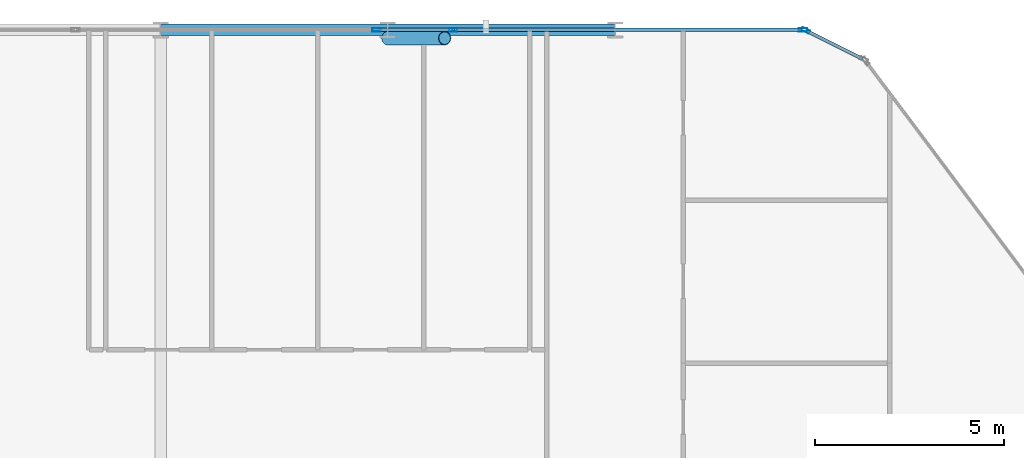
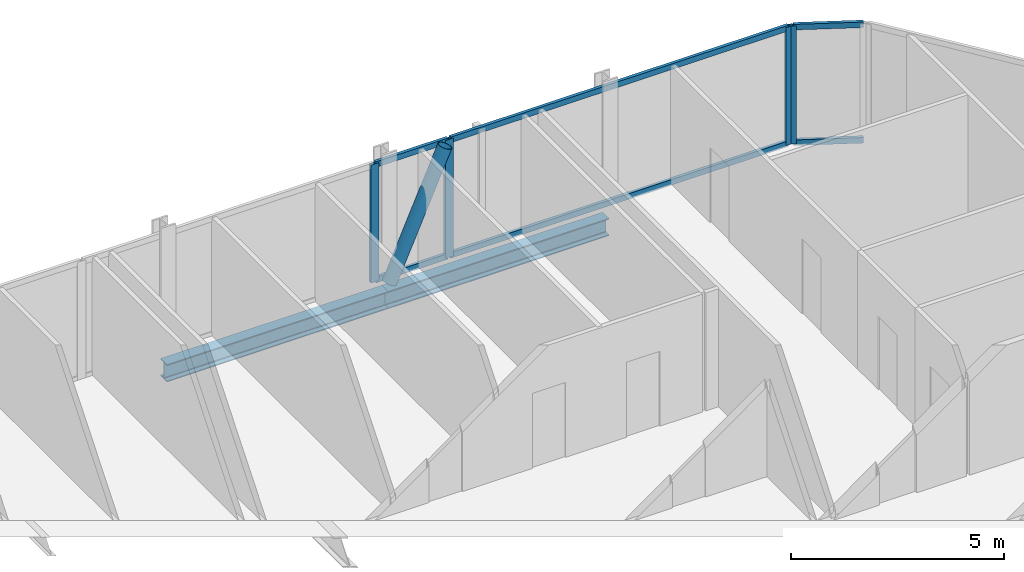
# One storey, part 16 of 34: 11 members, 2 beams, 4 elements without a shape of their own.
"""IFC4 building model written with IfcOpenShell, lengths in metres."""

import ifcopenshell
import ifcopenshell.guid

model = None  # the IFC model being written
_history = None  # IfcOwnerHistory: only IFC2X3 demands one
_inside = {}  # id of a spatial element -> (the spatial element, [elements in it])
_under = {}  # id of a project, library or spatial element -> (it, [spatial elements below it])
_declared = {}  # id of a project -> (the project, [libraries it declares])
_typed = {}  # id of a type object -> (the type object, [elements of that type])
_made_of = {}  # id of a material, layer set ... -> (it, [elements and type objects made of it])


def new_model(schema):
    """Start an empty IFC model of exactly this schema.

    Asked for "IFC4X3", IfcOpenShell would pick the latest addendum, in which some entities
    have other attributes; the version numbers below select the first issue.
    IFC2X3 requires an IfcOwnerHistory on every rooted entity: one is made here for all.
    """
    global model, _history
    if schema == "IFC4X3":
        model = ifcopenshell.file(schema_version=(4, 3, 0, 0))
    else:
        model = ifcopenshell.file(schema=schema)
    _inside.clear()
    _under.clear()
    _declared.clear()
    _typed.clear()
    _made_of.clear()
    _history = None
    if model.schema == "IFC2X3":
        org = make("IfcOrganization", Name="unknown")
        user = make(
            "IfcPersonAndOrganization",
            ThePerson=make("IfcPerson", FamilyName="unknown"),
            TheOrganization=org,
        )
        app = make(
            "IfcApplication",
            ApplicationDeveloper=org,
            Version="unknown",
            ApplicationFullName="unknown",
            ApplicationIdentifier="unknown",
        )
        _history = make(
            "IfcOwnerHistory",
            OwningUser=user,
            OwningApplication=app,
            ChangeAction="ADDED",
            CreationDate=0,
        )
    return model


def make(cls, **values):
    """One entity of the class cls with the attributes given. An attribute that is None is left unset."""
    return model.create_entity(
        cls, **{name: value for name, value in values.items() if value is not None}
    )


def rooted(cls, **values):
    """An entity with a GlobalId (a new one), such as an element, a storey or a relation."""
    return make(cls, GlobalId=ifcopenshell.guid.new(), OwnerHistory=_history, **values)


def si_unit(unit_type, name, prefix=None):
    """IfcSIUnit, for example si_unit("LENGTHUNIT", "METRE", prefix="MILLI")."""
    return make("IfcSIUnit", UnitType=unit_type, Prefix=prefix, Name=name)


def assignment(units):
    """IfcUnitAssignment: the units of a project."""
    return None if units is None else make("IfcUnitAssignment", Units=units)


def point(xyz):
    """IfcCartesianPoint."""
    return None if xyz is None else make("IfcCartesianPoint", Coordinates=xyz)


def direction(xyz):
    """IfcDirection."""
    return None if xyz is None else make("IfcDirection", DirectionRatios=xyz)


def frame(location, z_axis=None, x_axis=None):
    """IfcAxis2Placement3D, a coordinate frame: its origin and axes. An axis left out is left unset."""
    return make(
        "IfcAxis2Placement3D",
        Location=point(location),
        Axis=direction(z_axis),
        RefDirection=direction(x_axis),
    )


def frame_2d(location, x_axis=None):
    """IfcAxis2Placement2D, a coordinate frame in the plane: its origin and x axis."""
    return make(
        "IfcAxis2Placement2D", Location=point(location), RefDirection=direction(x_axis)
    )


def origin():
    """The frame at (0, 0, 0) with its axes left unset."""
    return frame((0.0, 0.0, 0.0))


def origin_2d():
    """The frame at (0, 0) in the plane with its x axis left unset."""
    return frame_2d((0.0, 0.0))


def place(relative_to, where):
    """IfcLocalPlacement: puts the frame where relative to a parent placement (None: the world)."""
    return make(
        "IfcLocalPlacement", PlacementRelTo=relative_to, RelativePlacement=where
    )


def context(
    kind, dimensions, precision=None, world=None, true_north=None, identifier=None
):
    """IfcGeometricRepresentationContext, for example the 3D "Model" context."""
    return make(
        "IfcGeometricRepresentationContext",
        ContextIdentifier=identifier,
        ContextType=kind,
        CoordinateSpaceDimension=dimensions,
        Precision=precision,
        WorldCoordinateSystem=world,
        TrueNorth=true_north,
    )


def subcontext(parent, identifier, kind, view, scale=None):
    """IfcGeometricRepresentationSubContext, for example "Body" below "Model"."""
    return make(
        "IfcGeometricRepresentationSubContext",
        ContextIdentifier=identifier,
        ContextType=kind,
        ParentContext=parent,
        TargetScale=scale,
        TargetView=view,
    )


def project(units=None, contexts=None):
    """IfcProject with its units and contexts."""
    return rooted(
        "IfcProject",
        Name="project",
        RepresentationContexts=contexts,
        UnitsInContext=assignment(units),
    )


def spatial(cls, under=None, at=None, **own):
    """A site, building, storey or space (cls), placed at a placement, below another one or the project."""
    s = rooted(cls, ObjectPlacement=at, **own)
    if under is not None:
        _under.setdefault(under.id(), (under, []))[1].append(s)
    return s


def profile(cls, at=None, kind="AREA", **sizes):
    """A parametric profile (cls). Its sizes go by their IFC names, for example OverallWidth=200.0."""
    return make(cls, ProfileType=kind, Position=at, **sizes)


def hollow_rectangle(**sizes):
    """IfcRectangleHollowProfileDef."""
    return profile("IfcRectangleHollowProfileDef", **sizes)


def hollow_circle(**sizes):
    """IfcCircleHollowProfileDef."""
    return profile("IfcCircleHollowProfileDef", **sizes)


def i_section(**sizes):
    """IfcIShapeProfileDef."""
    return profile("IfcIShapeProfileDef", **sizes)


def extrude(swept, where, along, depth):
    """IfcExtrudedAreaSolid: the profile swept, set in the frame where, extruded along a direction by depth."""
    return make(
        "IfcExtrudedAreaSolid",
        SweptArea=swept,
        Position=where,
        ExtrudedDirection=direction(along),
        Depth=depth,
    )


def shape(context_of_items, identifier, shape_type, items):
    """IfcShapeRepresentation: the items that make up one representation, for example the "Body"."""
    return make(
        "IfcShapeRepresentation",
        ContextOfItems=context_of_items,
        RepresentationIdentifier=identifier,
        RepresentationType=shape_type,
        Items=items,
    )


def material(Name=None, Category=None):
    """IfcMaterial."""
    return make("IfcMaterial", Name=Name, Category=Category)


def layer(
    of_material, thickness, ventilated=None, Name=None, Category=None, Priority=None
):
    """IfcMaterialLayer: one layer of a wall or slab, of a material (None: an air gap)."""
    return make(
        "IfcMaterialLayer",
        Material=of_material,
        LayerThickness=thickness,
        IsVentilated=ventilated,
        Name=Name,
        Category=Category,
        Priority=Priority,
    )


def layer_set(layers, Name=None):
    """IfcMaterialLayerSet."""
    return make("IfcMaterialLayerSet", MaterialLayers=layers, LayerSetName=Name)


def material_profile(
    of_material, cross_section, Name=None, Category=None, Priority=None
):
    """IfcMaterialProfile: a cross section and its material."""
    return make(
        "IfcMaterialProfile",
        Name=Name,
        Material=of_material,
        Profile=cross_section,
        Priority=Priority,
        Category=Category,
    )


def profile_set(profiles, Name=None, composite=None):
    """IfcMaterialProfileSet."""
    return make(
        "IfcMaterialProfileSet",
        Name=Name,
        MaterialProfiles=profiles,
        CompositeProfile=composite,
    )


def made_of(thing, what):
    """Note that an element or type object is made of a material, layer set ...; save() writes the relation."""
    if what is not None:
        _made_of.setdefault(what.id(), (what, []))[1].append(thing)
    return thing


def type_object(cls, material=None, **own):
    """A type object (cls), such as IfcWallType, which elements share."""
    return made_of(rooted(cls, **own), material)


def element(
    cls,
    number,
    at=None,
    inside=None,
    cuts=None,
    type_object=None,
    material=None,
    context=None,
    identifier="Body",
    shape_type=None,
    held_by="IfcProductDefinitionShape",
    body=None,
    shapes=None,
    **own,
):
    """One element of the class cls, such as IfcWall. Its Tag is "e" and its number.

    at: its placement. inside: the storey or other place that contains it. cuts: it is an
    opening in that element (IfcRelVoidsElement). A single representation is given by context,
    identifier, shape_type and body (its items); several are given by shapes. held_by: the class
    of the entity that holds the representations. save() writes the other relations.
    """
    e = rooted(cls, Tag="e%d" % number, ObjectPlacement=at, **own)
    if body is not None:
        shapes = [shape(context, identifier, shape_type, body)]
    if shapes is not None:
        e.Representation = make(held_by, Representations=shapes)
    if inside is not None:
        _inside.setdefault(inside.id(), (inside, []))[1].append(e)
    if cuts is not None:
        rooted(
            "IfcRelVoidsElement", RelatingBuildingElement=cuts, RelatedOpeningElement=e
        )
    if type_object is not None:
        _typed.setdefault(type_object.id(), (type_object, []))[1].append(e)
    return made_of(e, material)


def aggregate(whole, parts):
    """IfcRelAggregates: a whole, such as a stair, and the parts it consists of."""
    return rooted("IfcRelAggregates", RelatingObject=whole, RelatedObjects=parts)


def save(model, path):
    """Write the relations noted so far, then the file.

    IfcRelAggregates (storeys below a building ...), IfcRelContainedInSpatialStructure (elements
    in a storey), IfcRelDefinesByType, IfcRelAssociatesMaterial and IfcRelDeclares: one each for
    every whole, place, type object, material and project.
    """
    for whole, parts in _under.values():
        aggregate(whole, parts)
    for where, things in _inside.values():
        rooted(
            "IfcRelContainedInSpatialStructure",
            RelatedElements=things,
            RelatingStructure=where,
        )
    for kind, things in _typed.values():
        rooted("IfcRelDefinesByType", RelatedObjects=things, RelatingType=kind)
    for what, things in _made_of.values():
        rooted("IfcRelAssociatesMaterial", RelatedObjects=things, RelatingMaterial=what)
    for by, libraries in _declared.values():
        rooted("IfcRelDeclares", RelatingContext=by, RelatedDefinitions=libraries)
    model.write(path)


model = new_model("IFC4")

# Units and contexts
model_context = context("Model", 3, precision=1e-05, world=origin(), true_north=direction((0.0, 1.0)))
body_context = subcontext(model_context, "Body", "Model", "MODEL_VIEW")
ifc_project = project(units=[si_unit("LENGTHUNIT", "METRE"), si_unit("AREAUNIT", "SQUARE_METRE"), si_unit("VOLUMEUNIT", "CUBIC_METRE"), si_unit("PLANEANGLEUNIT", "RADIAN"), si_unit("MASSUNIT", "GRAM", prefix="KILO")], contexts=[model_context])

# Site, building, storey
site_placement = place(None, origin())
site = spatial("IfcSite", under=ifc_project, at=site_placement, CompositionType="ELEMENT")
building_placement = place(site_placement, origin())
building = spatial("IfcBuilding", under=site, at=building_placement, Name="Keshet Zoharim Tower", CompositionType="ELEMENT")
storey_placement = place(building_placement, frame((0.0, 0.0, 46.199951171875)))
storey = spatial("IfcBuildingStorey", under=building, at=storey_placement, Name="L10", CompositionType="ELEMENT", Elevation=46.199951171875)

# Beams
ifc_material_1 = material(Name="Steel S355", Category="steel")
ifc_material_profile_1 = material_profile(ifc_material_1, i_section(OverallWidth=0.300048828125, OverallDepth=0.5, WebThickness=0.014404296875, FlangeThickness=0.028076171875, FilletRadius=0.027099609375, at=origin_2d()), Name="HEB500")
ifc_profile_set_1 = profile_set([ifc_material_profile_1], Name="Steel S355")
beam_type = type_object("IfcBeamType", Name="BM-WEB-HB500", PredefinedType="BEAM", material=ifc_profile_set_1)
for number, where, z_axis, x_axis, name in (
    (1, (33.0, 53.89990234375, -0.56494140625), (1.0, 0.0, 0.0), (0.0, 1.0, 0.0), "L10 Primary Girder X-031"),
    (2, (39.0, 53.89990234375, -0.56494140625), (1.0, 0.0, 0.0), (0.0, 1.0, 0.0), "L10 Primary Girder X-032"),
):
    element("IfcBeam", number, at=place(storey_placement, frame(where, z_axis=z_axis, x_axis=x_axis)), inside=storey, type_object=beam_type, Name=name, PredefinedType="BEAM", context=body_context, shape_type="SweptSolid", body=[
        extrude(i_section(OverallWidth=0.300048828125, OverallDepth=0.5, WebThickness=0.014404296875, FlangeThickness=0.028076171875, FilletRadius=0.027099609375, at=origin_2d()), origin(), (0.0, 0.0, 1.0), 6.0),
    ])

# Curtain wall, member
ifc_material_2 = material(Name="Aluminium 6063-T6", Category="aluminium")
ifc_layer = layer(ifc_material_2, 0.169921875)
ifc_layer_set = layer_set([ifc_layer], Name="Aluminium 6063-T6")
curtain_wall_type = type_object("IfcCurtainWallType", Name="CW-SYS-02", PredefinedType="NOTDEFINED", material=ifc_layer_set)
curtain_wall_1_placement = place(storey_placement, origin())
curtain_wall_1 = element("IfcCurtainWall", 3, at=curtain_wall_1_placement, inside=storey, type_object=curtain_wall_type, Name="L10 Unitised Curtain Wall 07 Part 3", PredefinedType="NOTDEFINED")
ifc_material_profile_2 = material_profile(ifc_material_2, hollow_rectangle(XDim=0.090087890625, YDim=0.219970703125, WallThickness=0.0048828125, at=origin_2d()), Name="MUL-90x220")
ifc_profile_set_2 = profile_set([ifc_material_profile_2], Name="Aluminium 6063-T6")
member_type_1 = type_object("IfcMemberType", Name="CWM-M22", PredefinedType="MULLION", material=ifc_profile_set_2)
member_1_placement = place(storey_placement, frame((38.702392578125, 53.89990234375, 0.0), z_axis=(0.0, 0.0, 1.0), x_axis=(0.0, 1.0, 0.0)))
member_1 = element("IfcMember", 4, at=member_1_placement, type_object=member_type_1, Name="CW-02 mullion 3", PredefinedType="MULLION", context=body_context, shape_type="SweptSolid", body=[
    extrude(hollow_rectangle(XDim=0.090087890625, YDim=0.219970703125, WallThickness=0.0048828125, at=origin_2d()), origin(), (0.0, 0.0, 1.0), 3.385009765625),
])
aggregate(curtain_wall_1, [member_1])

curtain_wall_2_placement = place(storey_placement, origin())
curtain_wall_2 = element("IfcCurtainWall", 5, at=curtain_wall_2_placement, inside=storey, type_object=curtain_wall_type, Name="L10 Unitised Curtain Wall 07 Part 4", PredefinedType="NOTDEFINED")
member_2_placement = place(storey_placement, frame((40.7275390625, 53.89990234375, 0.0), z_axis=(0.0, 0.0, 1.0), x_axis=(0.0, 1.0, 0.0)))
member_2 = element("IfcMember", 6, at=member_2_placement, type_object=member_type_1, Name="CW-02 mullion 2", PredefinedType="MULLION", context=body_context, shape_type="SweptSolid", body=[
    extrude(hollow_rectangle(XDim=0.090087890625, YDim=0.219970703125, WallThickness=0.0048828125, at=origin_2d()), origin(), (0.0, 0.0, 1.0), 3.385009765625),
])

curtain_wall_3_placement = place(storey_placement, origin())
curtain_wall_3 = element("IfcCurtainWall", 7, at=curtain_wall_3_placement, inside=storey, type_object=curtain_wall_type, Name="L10 Unitised Curtain Wall 07 Part 5", PredefinedType="NOTDEFINED")
member_3_placement = place(storey_placement, frame((49.965087890625, 53.89990234375, 0.0), z_axis=(0.0, 0.0, 1.0), x_axis=(0.0, 1.0, 0.0)))
member_3 = element("IfcMember", 8, at=member_3_placement, type_object=member_type_1, Name="CW-02 mullion 2", PredefinedType="MULLION", context=body_context, shape_type="SweptSolid", body=[
    extrude(hollow_rectangle(XDim=0.090087890625, YDim=0.219970703125, WallThickness=0.0048828125, at=origin_2d()), origin(), (0.0, 0.0, 1.0), 3.385009765625),
])

curtain_wall_4_placement = place(storey_placement, origin())
curtain_wall_4 = element("IfcCurtainWall", 9, at=curtain_wall_4_placement, inside=storey, type_object=curtain_wall_type, Name="L10 Unitised Curtain Wall 08", PredefinedType="NOTDEFINED")
member_4_placement = place(storey_placement, frame((50.03125, 53.88427734375, 0.0), z_axis=(0.0, 0.0, 1.0), x_axis=(0.447213595499, 0.894427191001, 0.0)))
member_4 = element("IfcMember", 10, at=member_4_placement, type_object=member_type_1, Name="CW-02 mullion 1", PredefinedType="MULLION", context=body_context, shape_type="SweptSolid", body=[
    extrude(hollow_rectangle(XDim=0.090087890625, YDim=0.219970703125, WallThickness=0.0048828125, at=origin_2d()), origin(), (0.0, 0.0, 1.0), 3.385009765625),
])

# Member
ifc_material_profile_3 = material_profile(ifc_material_2, hollow_rectangle(XDim=0.0849609375, YDim=0.159912109375, WallThickness=0.00439453125, at=origin_2d()), Name="TRN-85x160")
ifc_profile_set_3 = profile_set([ifc_material_profile_3], Name="Aluminium 6063-T6")
member_type_2 = type_object("IfcMemberType", Name="CWT-T16", PredefinedType="USERDEFINED", material=ifc_profile_set_3)
member_5_placement = place(storey_placement, frame((38.7373046875, 53.89990234375, 0.03515625), z_axis=(1.0, 0.0, 0.0), x_axis=(0.0, 1.0, 0.0)))
member_5 = element("IfcMember", 11, at=member_5_placement, type_object=member_type_2, Name="CW-02 transom 1.1", ObjectType="TRANSOM", PredefinedType="USERDEFINED", context=body_context, shape_type="SweptSolid", body=[
    extrude(hollow_rectangle(XDim=0.0849609375, YDim=0.159912109375, WallThickness=0.00439453125, at=origin_2d()), origin(), (0.0, 0.0, 1.0), 1.955322265625),
])

member_6_placement = place(storey_placement, frame((38.7373046875, 53.89990234375, 3.35009765625), z_axis=(1.0, 0.0, 0.0), x_axis=(0.0, 1.0, 0.0)))
member_6 = element("IfcMember", 12, at=member_6_placement, type_object=member_type_2, Name="CW-02 transom 1.2", ObjectType="TRANSOM", PredefinedType="USERDEFINED", context=body_context, shape_type="SweptSolid", body=[
    extrude(hollow_rectangle(XDim=0.0849609375, YDim=0.159912109375, WallThickness=0.00439453125, at=origin_2d()), origin(), (0.0, 0.0, 1.0), 1.955322265625),
])

aggregate(curtain_wall_2, [member_2, member_5, member_6])

member_7_placement = place(storey_placement, frame((40.7626953125, 53.89990234375, 0.03515625), z_axis=(1.0, 0.0, 0.0), x_axis=(0.0, 1.0, 0.0)))
member_7 = element("IfcMember", 13, at=member_7_placement, type_object=member_type_2, Name="CW-02 transom 1.1", ObjectType="TRANSOM", PredefinedType="USERDEFINED", context=body_context, shape_type="SweptSolid", body=[
    extrude(hollow_rectangle(XDim=0.0849609375, YDim=0.159912109375, WallThickness=0.00439453125, at=origin_2d()), origin(), (0.0, 0.0, 1.0), 9.167236328125),
])

member_8_placement = place(storey_placement, frame((40.7626953125, 53.89990234375, 3.35009765625), z_axis=(1.0, 0.0, 0.0), x_axis=(0.0, 1.0, 0.0)))
member_8 = element("IfcMember", 14, at=member_8_placement, type_object=member_type_2, Name="CW-02 transom 1.2", ObjectType="TRANSOM", PredefinedType="USERDEFINED", context=body_context, shape_type="SweptSolid", body=[
    extrude(hollow_rectangle(XDim=0.0849609375, YDim=0.159912109375, WallThickness=0.00439453125, at=origin_2d()), origin(), (0.0, 0.0, 1.0), 9.167236328125),
])

aggregate(curtain_wall_3, [member_3, member_7, member_8])

member_9_placement = place(storey_placement, frame((50.0625, 53.86865234375, 0.03515625), z_axis=(0.894456801911, -0.447154368775, 0.0), x_axis=(0.447154368775, 0.894456801911, 0.0)))
member_9 = element("IfcMember", 15, at=member_9_placement, type_object=member_type_2, Name="CW-02 transom 1.1", ObjectType="TRANSOM", PredefinedType="USERDEFINED", context=body_context, shape_type="SweptSolid", body=[
    extrude(hollow_rectangle(XDim=0.0849609375, YDim=0.159912109375, WallThickness=0.00439453125, at=origin_2d()), origin(), (0.0, 0.0, 1.0), 1.64892578125),
])

member_10_placement = place(storey_placement, frame((50.0625, 53.86865234375, 3.35009765625), z_axis=(0.894456801911, -0.447154368775, 0.0), x_axis=(0.447154368775, 0.894456801911, 0.0)))
member_10 = element("IfcMember", 16, at=member_10_placement, type_object=member_type_2, Name="CW-02 transom 1.2", ObjectType="TRANSOM", PredefinedType="USERDEFINED", context=body_context, shape_type="SweptSolid", body=[
    extrude(hollow_rectangle(XDim=0.0849609375, YDim=0.159912109375, WallThickness=0.00439453125, at=origin_2d()), origin(), (0.0, 0.0, 1.0), 1.64892578125),
])

aggregate(curtain_wall_4, [member_4, member_9, member_10])

ifc_material_profile_4 = material_profile(ifc_material_1, hollow_circle(Radius=0.177734375, WallThickness=0.012451171875, at=origin_2d()), Name="CHS355x12.5")
ifc_profile_set_4 = profile_set([ifc_material_profile_4], Name="Steel S355")
member_type_3 = type_object("IfcMemberType", Name="MB-BR-C355", PredefinedType="BRACE", material=ifc_profile_set_4)
member_11_placement = place(storey_placement, frame((39.0, 53.679931640625, 0.0), z_axis=(0.405134846829, 0.0, 0.91425694194), x_axis=(0.0, 1.0, 0.0)))
element("IfcMember", 17, at=member_11_placement, inside=storey, type_object=member_type_3, Name="L10 Perimeter Tube Brace 04", PredefinedType="BRACE", context=body_context, shape_type="SweptSolid", body=[
    extrude(hollow_circle(Radius=0.177734375, WallThickness=0.012451171875, at=origin_2d()), origin(), (0.0, 0.0, 1.0), 3.702392578125),
])

save(model, "model.ifc")
